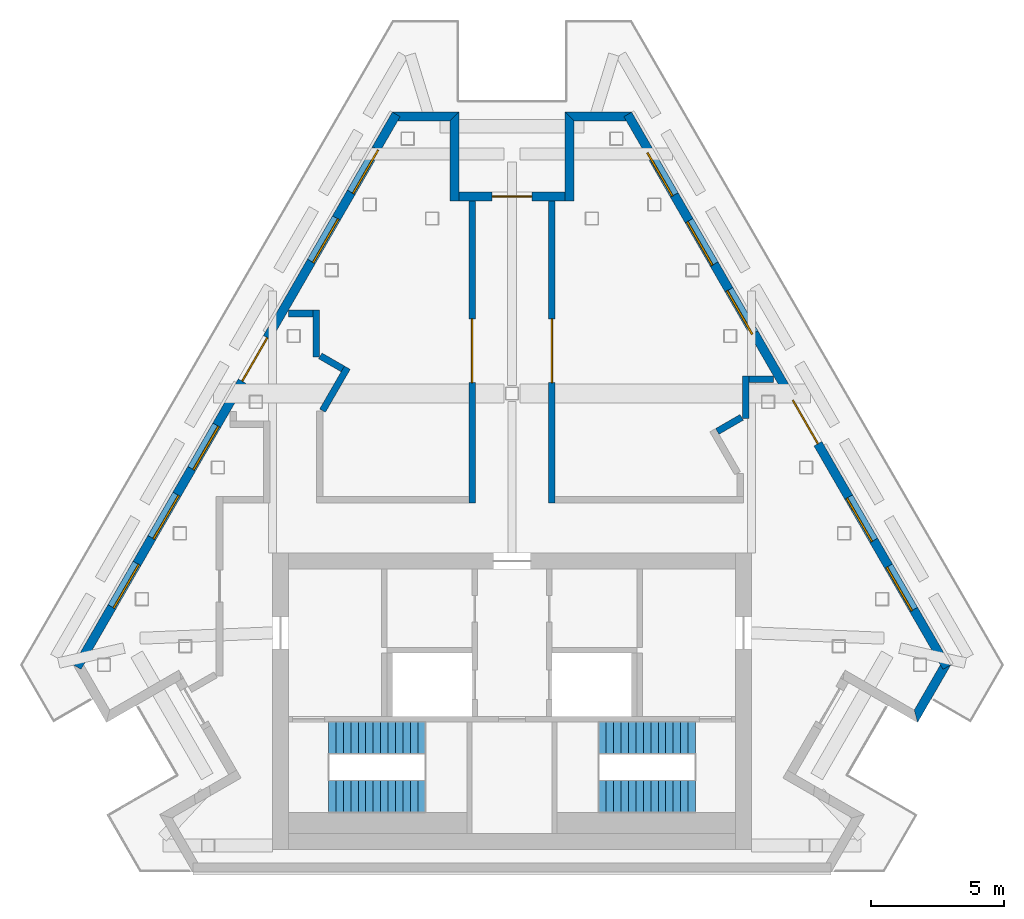
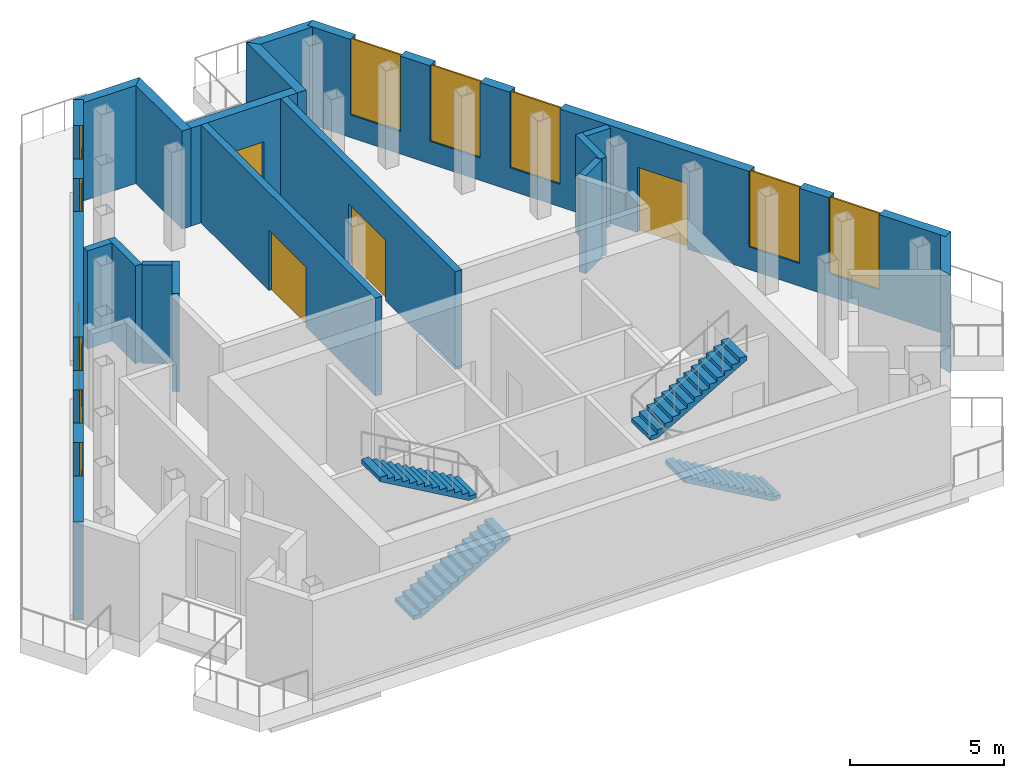
# One storey, part 3 of 4: 17 walls, 10 windows, 5 doors, 4 stair flights, 15 openings, 2 elements without a shape of their own.
"""IFC4 building model written with IfcOpenShell, lengths in metres."""

from ifc_helpers import new_model, si_unit, direction, frame, frame_2d, origin, place, context, subcontext, project, spatial, polyline, rectangle, outline, extrude, material, layer, layer_set, type_object, element, fill, aggregate, save


model = new_model("IFC4")

# Units and contexts
model_context = context("Model", 3, precision=1e-05, world=origin(), true_north=direction((0.0, 1.0)))
body_context = subcontext(model_context, "Body", "Model", "MODEL_VIEW")
ifc_project = project(units=[si_unit("LENGTHUNIT", "METRE"), si_unit("AREAUNIT", "SQUARE_METRE"), si_unit("VOLUMEUNIT", "CUBIC_METRE"), si_unit("PLANEANGLEUNIT", "RADIAN"), si_unit("MASSUNIT", "GRAM", prefix="KILO")], contexts=[model_context])

# Site, building, storey
site_placement = place(None, origin())
site = spatial("IfcSite", under=ifc_project, at=site_placement, CompositionType="ELEMENT")
building_placement = place(site_placement, origin())
building = spatial("IfcBuilding", under=site, at=building_placement, Name="Fogline Exchange Tower", CompositionType="ELEMENT")
storey_placement = place(building_placement, frame((0.0, 0.0, 355.10009765625)))
storey = spatial("IfcBuildingStorey", under=building, at=storey_placement, Name="L80", CompositionType="ELEMENT", Elevation=355.10009765625)

# Wall
ifc_material_1 = material(Name="Brick masonry", Category="masonry")
ifc_layer_1 = layer(ifc_material_1, 0.340087890625)
ifc_layer_set_1 = layer_set([ifc_layer_1], Name="FW1")
wall_type_1 = type_object("IfcWallType", Name="FW1", PredefinedType="SOLIDWALL", material=ifc_layer_set_1)
wall_1_placement = place(storey_placement, origin())
element("IfcWall", 1, at=wall_1_placement, inside=storey, type_object=wall_type_1, Name="Brick wall L80 SE-c2", PredefinedType="SOLIDWALL", context=body_context, shape_type="SweptSolid", body=[
    extrude(outline(polyline([(16.107421875, 7.79541015625), (16.205810546875, 7.625), (16.500732421875, 7.79541015625), (16.5009765625, 7.794921875), (15.25, 5.6279296875), (15.249755859375, 5.6279296875), (15.125, 6.09375), (16.107421875, 7.79541015625)])), origin(), (0.0, 0.0, 1.0), 3.89990234375),
])

# Wall, openings, door, windows
wall_2_placement = place(storey_placement, frame((16.352783203125, 7.709228515625, 0.0), z_axis=(0.0, 0.0, 1.0), x_axis=(-0.49999894854, 0.866026010844, 0.0)))
wall_2 = element("IfcWall", 2, at=wall_2_placement, inside=storey, type_object=wall_type_1, Name="Brick wall L80 E", PredefinedType="SOLIDWALL", context=body_context, shape_type="SweptSolid", body=[
    extrude(rectangle(XDim=24.0, YDim=0.340087890625, at=frame_2d((12.0, 0.0))), origin(), (0.0, 0.0, 1.0), 3.89990234375),
])
opening_1_placement = place(wall_2_placement, frame((2.5, 0.0, 0.89990234375)))
opening_1 = element("IfcOpeningElement", 3, at=opening_1_placement, cuts=wall_2, Name="Opening W6", PredefinedType="OPENING", context=body_context, shape_type="SweptSolid", body=[
    extrude(rectangle(XDim=1.885009765625, YDim=3.0, at=frame_2d((0.9423828125, 1.5))), frame((0.0, 0.18017578125, 0.0), z_axis=(0.0, -1.0, 0.0), x_axis=(1.0, 0.0, 0.0)), (0.0, 0.0, 1.0), 0.360107421875),
])
opening_2_placement = place(wall_2_placement, frame((5.5, 0.0, 0.89990234375)))
opening_2 = element("IfcOpeningElement", 4, at=opening_2_placement, cuts=wall_2, Name="Opening W6", PredefinedType="OPENING", context=body_context, shape_type="SweptSolid", body=[
    extrude(rectangle(XDim=1.885009765625, YDim=3.0, at=frame_2d((0.9423828125, 1.5))), frame((0.0, 0.18017578125, 0.0), z_axis=(0.0, -1.0, 0.0), x_axis=(1.0, 0.0, 0.0)), (0.0, 0.0, 1.0), 0.360107421875),
])
opening_3_placement = place(wall_2_placement, frame((14.5, 0.0, 0.89990234375)))
opening_3 = element("IfcOpeningElement", 5, at=opening_3_placement, cuts=wall_2, Name="Opening W6", PredefinedType="OPENING", context=body_context, shape_type="SweptSolid", body=[
    extrude(rectangle(XDim=1.885009765625, YDim=3.0, at=frame_2d((0.9423828125, 1.5))), frame((0.0, 0.18017578125, 0.0), z_axis=(0.0, -1.0, 0.0), x_axis=(1.0, 0.0, 0.0)), (0.0, 0.0, 1.0), 0.360107421875),
])
opening_4_placement = place(wall_2_placement, frame((17.5, 0.0, 0.89990234375)))
opening_4 = element("IfcOpeningElement", 6, at=opening_4_placement, cuts=wall_2, Name="Opening W6", PredefinedType="OPENING", context=body_context, shape_type="SweptSolid", body=[
    extrude(rectangle(XDim=1.885009765625, YDim=3.0, at=frame_2d((0.9423828125, 1.5))), frame((0.0, 0.18017578125, 0.0), z_axis=(0.0, -1.0, 0.0), x_axis=(1.0, 0.0, 0.0)), (0.0, 0.0, 1.0), 0.360107421875),
])
opening_5_placement = place(wall_2_placement, frame((20.5, 0.0, 0.89990234375)))
opening_5 = element("IfcOpeningElement", 7, at=opening_5_placement, cuts=wall_2, Name="Opening W6", PredefinedType="OPENING", context=body_context, shape_type="SweptSolid", body=[
    extrude(rectangle(XDim=1.885009765625, YDim=3.0, at=frame_2d((0.9423828125, 1.5))), frame((0.0, 0.18017578125, 0.0), z_axis=(0.0, -1.0, 0.0), x_axis=(1.0, 0.0, 0.0)), (0.0, 0.0, 1.0), 0.360107421875),
])
opening_6_placement = place(wall_2_placement, frame((9.699951171875, 0.0, 0.0)))
opening_6 = element("IfcOpeningElement", 8, at=opening_6_placement, cuts=wall_2, Name="Opening L80-E111", PredefinedType="OPENING", context=body_context, shape_type="SweptSolid", body=[
    extrude(rectangle(XDim=1.885009765625, YDim=2.60009765625, at=frame_2d((0.9423828125, 1.300048828125))), frame((0.0, 0.18017578125, 0.0), z_axis=(0.0, -1.0, 0.0), x_axis=(1.0, 0.0, 0.0)), (0.0, 0.0, 1.0), 0.360107421875),
])
ifc_material_2 = material(Name="Aluminium and glass", Category="aluminium")
door_type_1 = type_object("IfcDoorType", Name="ED5", OperationType="SINGLE_SWING_LEFT", PredefinedType="DOOR", material=ifc_material_2)
door_1_placement = place(opening_6_placement, frame((1.885009765625, 0.0, 0.0), z_axis=(0.0, 0.0, 1.0), x_axis=(-1.0, 0.0, 0.0)))
door_1 = element("IfcDoor", 9, at=door_1_placement, inside=storey, type_object=door_type_1, Name="Terrace door L80 E", OperationType="DOUBLE_DOOR_SINGLE_SWING", OverallHeight=2.60009765625, OverallWidth=1.885009765625, PredefinedType="DOOR", context=body_context, shape_type="SweptSolid", body=[
    extrude(rectangle(XDim=1.885009765625, YDim=2.60009765625, at=frame_2d((0.9423828125, 1.300048828125))), frame((0.0, 0.02490234375, 0.0), z_axis=(0.0, -1.0, 0.0), x_axis=(1.0, 0.0, 0.0)), (0.0, 0.0, 1.0), 0.050048828125),
])
fill(opening_6, door_1)
ifc_material_3 = material(Name="Aluminium louvre", Category="aluminium")
window_type = type_object("IfcWindowType", Name="W6", PartitioningType="SINGLE_PANEL", PredefinedType="WINDOW", material=ifc_material_3)
window_1_placement = place(opening_1_placement, origin())
window_1 = element("IfcWindow", 10, at=window_1_placement, inside=storey, type_object=window_type, Name="W6 W6", OverallHeight=3.0, OverallWidth=1.885009765625, PartitioningType="SINGLE_PANEL", PredefinedType="WINDOW", context=body_context, shape_type="SweptSolid", body=[
    extrude(rectangle(XDim=1.885009765625, YDim=3.0, at=frame_2d((0.9423828125, 1.5))), frame((0.0, 0.110107421875, 0.0), z_axis=(0.0, -1.0, 0.0), x_axis=(1.0, 0.0, 0.0)), (0.0, 0.0, 1.0), 0.06005859375),
])
fill(opening_1, window_1)
window_2_placement = place(opening_2_placement, origin())
window_2 = element("IfcWindow", 11, at=window_2_placement, inside=storey, type_object=window_type, Name="W6 W6", OverallHeight=3.0, OverallWidth=1.885009765625, PartitioningType="SINGLE_PANEL", PredefinedType="WINDOW", context=body_context, shape_type="SweptSolid", body=[
    extrude(rectangle(XDim=1.885009765625, YDim=3.0, at=frame_2d((0.9423828125, 1.5))), frame((0.0, 0.110107421875, 0.0), z_axis=(0.0, -1.0, 0.0), x_axis=(1.0, 0.0, 0.0)), (0.0, 0.0, 1.0), 0.06005859375),
])
fill(opening_2, window_2)
window_3_placement = place(opening_3_placement, origin())
window_3 = element("IfcWindow", 12, at=window_3_placement, inside=storey, type_object=window_type, Name="W6 W6", OverallHeight=3.0, OverallWidth=1.885009765625, PartitioningType="SINGLE_PANEL", PredefinedType="WINDOW", context=body_context, shape_type="SweptSolid", body=[
    extrude(rectangle(XDim=1.885009765625, YDim=3.0, at=frame_2d((0.9423828125, 1.5))), frame((0.0, 0.110107421875, 0.0), z_axis=(0.0, -1.0, 0.0), x_axis=(1.0, 0.0, 0.0)), (0.0, 0.0, 1.0), 0.06005859375),
])
fill(opening_3, window_3)
window_4_placement = place(opening_4_placement, origin())
window_4 = element("IfcWindow", 13, at=window_4_placement, inside=storey, type_object=window_type, Name="W6 W6", OverallHeight=3.0, OverallWidth=1.885009765625, PartitioningType="SINGLE_PANEL", PredefinedType="WINDOW", context=body_context, shape_type="SweptSolid", body=[
    extrude(rectangle(XDim=1.885009765625, YDim=3.0, at=frame_2d((0.9423828125, 1.5))), frame((0.0, 0.110107421875, 0.0), z_axis=(0.0, -1.0, 0.0), x_axis=(1.0, 0.0, 0.0)), (0.0, 0.0, 1.0), 0.06005859375),
])
fill(opening_4, window_4)
window_5_placement = place(opening_5_placement, origin())
window_5 = element("IfcWindow", 14, at=window_5_placement, inside=storey, type_object=window_type, Name="W6 W6", OverallHeight=3.0, OverallWidth=1.885009765625, PartitioningType="SINGLE_PANEL", PredefinedType="WINDOW", context=body_context, shape_type="SweptSolid", body=[
    extrude(rectangle(XDim=1.885009765625, YDim=3.0, at=frame_2d((0.9423828125, 1.5))), frame((0.0, 0.110107421875, 0.0), z_axis=(0.0, -1.0, 0.0), x_axis=(1.0, 0.0, 0.0)), (0.0, 0.0, 1.0), 0.06005859375),
])
fill(opening_5, window_5)

# Walls
wall_3_placement = place(storey_placement, origin())
element("IfcWall", 15, at=wall_3_placement, inside=storey, type_object=wall_type_1, Name="Brick wall L80 N-c1", PredefinedType="SOLIDWALL", context=body_context, shape_type="SweptSolid", body=[
    extrude(outline(polyline([(1.9990234375, 28.579345703125), (4.5009765625, 28.579345703125), (4.501220703125, 28.578857421875), (4.206298828125, 28.40869140625), (4.3046875, 28.23828125), (2.33984375, 28.23828125), (1.998779296875, 28.5791015625), (1.9990234375, 28.579345703125)])), origin(), (0.0, 0.0, 1.0), 3.89990234375),
])
wall_4_placement = place(storey_placement, origin())
element("IfcWall", 16, at=wall_4_placement, inside=storey, type_object=wall_type_1, Name="Brick wall L80 N-s1", PredefinedType="SOLIDWALL", context=body_context, shape_type="SweptSolid", body=[
    extrude(outline(polyline([(2.340576171875, 25.23828125), (1.99951171875, 25.23828125), (1.99951171875, 28.579833984375), (1.999755859375, 28.580078125), (2.340576171875, 28.239013671875), (2.340576171875, 25.23828125)])), origin(), (0.0, 0.0, 1.0), 3.89990234375),
])

# Wall, opening, door
wall_5_placement = place(storey_placement, frame((2.0, 25.408935546875, 0.0), z_axis=(0.0, 0.0, 1.0), x_axis=(-1.0, 0.0, 0.0)))
wall_5 = element("IfcWall", 17, at=wall_5_placement, inside=storey, type_object=wall_type_1, Name="Brick wall L80 N-bk", PredefinedType="SOLIDWALL", context=body_context, shape_type="SweptSolid", body=[
    extrude(rectangle(XDim=4.0, YDim=0.340087890625, at=frame_2d((2.0, 0.0))), origin(), (0.0, 0.0, 1.0), 3.89990234375),
])
opening_7_placement = place(wall_5_placement, frame((1.25, 0.0, 0.0)))
opening_7 = element("IfcOpeningElement", 18, at=opening_7_placement, cuts=wall_5, Name="Opening L80-E141", PredefinedType="OPENING", context=body_context, shape_type="SweptSolid", body=[
    extrude(rectangle(XDim=1.5, YDim=2.39990234375, at=frame_2d((0.75, 1.199951171875))), frame((0.0, 0.18017578125, 0.0), z_axis=(0.0, -1.0, 0.0), x_axis=(1.0, 0.0, 0.0)), (0.0, 0.0, 1.0), 0.360107421875),
])
door_type_2 = type_object("IfcDoorType", Name="ED4", OperationType="SINGLE_SWING_LEFT", PredefinedType="DOOR", material=ifc_material_2)
door_2_placement = place(opening_7_placement, frame((1.5, 0.0, 0.0), z_axis=(0.0, 0.0, 1.0), x_axis=(-1.0, 0.0, 0.0)))
door_2 = element("IfcDoor", 19, at=door_2_placement, inside=storey, type_object=door_type_2, Name="Balcony door L80 N", OperationType="DOUBLE_DOOR_SINGLE_SWING", OverallHeight=2.39990234375, OverallWidth=1.5, PredefinedType="DOOR", context=body_context, shape_type="SweptSolid", body=[
    extrude(rectangle(XDim=1.5, YDim=2.39990234375, at=frame_2d((0.75, 1.199951171875))), frame((0.0, 0.02490234375, 0.0), z_axis=(0.0, -1.0, 0.0), x_axis=(1.0, 0.0, 0.0)), (0.0, 0.0, 1.0), 0.050048828125),
])
fill(opening_7, door_2)

# Walls
wall_6_placement = place(storey_placement, origin())
element("IfcWall", 20, at=wall_6_placement, inside=storey, type_object=wall_type_1, Name="Brick wall L80 N-s2", PredefinedType="SOLIDWALL", context=body_context, shape_type="SweptSolid", body=[
    extrude(outline(polyline([(-1.99951171875, 28.579833984375), (-1.99951171875, 25.23828125), (-2.340576171875, 25.23828125), (-2.340576171875, 28.239013671875), (-1.999755859375, 28.580078125), (-1.99951171875, 28.579833984375)])), origin(), (0.0, 0.0, 1.0), 3.89990234375),
])
wall_7_placement = place(storey_placement, origin())
element("IfcWall", 21, at=wall_7_placement, inside=storey, type_object=wall_type_1, Name="Brick wall L80 N-c2", PredefinedType="SOLIDWALL", context=body_context, shape_type="SweptSolid", body=[
    extrude(outline(polyline([(-4.3046875, 28.23828125), (-4.206298828125, 28.40869140625), (-4.501220703125, 28.578857421875), (-4.5009765625, 28.579345703125), (-1.9990234375, 28.579345703125), (-1.998779296875, 28.5791015625), (-2.33984375, 28.23828125), (-4.3046875, 28.23828125)])), origin(), (0.0, 0.0, 1.0), 3.89990234375),
])

# Wall, openings, door, windows
wall_8_placement = place(storey_placement, frame((-4.352783203125, 28.493896484375, 0.0), z_axis=(0.0, 0.0, 1.0), x_axis=(-0.49999894854, -0.866026010844, 0.0)))
wall_8 = element("IfcWall", 22, at=wall_8_placement, inside=storey, type_object=wall_type_1, Name="Brick wall L80 W", PredefinedType="SOLIDWALL", context=body_context, shape_type="SweptSolid", body=[
    extrude(rectangle(XDim=24.0, YDim=0.340087890625, at=frame_2d((12.0, 0.0))), origin(), (0.0, 0.0, 1.0), 3.89990234375),
])
opening_8_placement = place(wall_8_placement, frame((1.5, 0.0, 0.89990234375)))
opening_8 = element("IfcOpeningElement", 23, at=opening_8_placement, cuts=wall_8, Name="Opening W6", PredefinedType="OPENING", context=body_context, shape_type="SweptSolid", body=[
    extrude(rectangle(XDim=1.885009765625, YDim=3.0, at=frame_2d((0.9423828125, 1.5))), frame((0.0, 0.18017578125, 0.0), z_axis=(0.0, -1.0, 0.0), x_axis=(1.0, 0.0, 0.0)), (0.0, 0.0, 1.0), 0.360107421875),
])
opening_9_placement = place(wall_8_placement, frame((4.5, 0.0, 0.89990234375)))
opening_9 = element("IfcOpeningElement", 24, at=opening_9_placement, cuts=wall_8, Name="Opening W6", PredefinedType="OPENING", context=body_context, shape_type="SweptSolid", body=[
    extrude(rectangle(XDim=1.885009765625, YDim=3.0, at=frame_2d((0.9423828125, 1.5))), frame((0.0, 0.18017578125, 0.0), z_axis=(0.0, -1.0, 0.0), x_axis=(1.0, 0.0, 0.0)), (0.0, 0.0, 1.0), 0.360107421875),
])
opening_10_placement = place(wall_8_placement, frame((13.5, 0.0, 0.89990234375)))
opening_10 = element("IfcOpeningElement", 25, at=opening_10_placement, cuts=wall_8, Name="Opening W6", PredefinedType="OPENING", context=body_context, shape_type="SweptSolid", body=[
    extrude(rectangle(XDim=1.885009765625, YDim=3.0, at=frame_2d((0.9423828125, 1.5))), frame((0.0, 0.18017578125, 0.0), z_axis=(0.0, -1.0, 0.0), x_axis=(1.0, 0.0, 0.0)), (0.0, 0.0, 1.0), 0.360107421875),
])
opening_11_placement = place(wall_8_placement, frame((16.5, 0.0, 0.89990234375)))
opening_11 = element("IfcOpeningElement", 26, at=opening_11_placement, cuts=wall_8, Name="Opening W6", PredefinedType="OPENING", context=body_context, shape_type="SweptSolid", body=[
    extrude(rectangle(XDim=1.885009765625, YDim=3.0, at=frame_2d((0.9423828125, 1.5))), frame((0.0, 0.18017578125, 0.0), z_axis=(0.0, -1.0, 0.0), x_axis=(1.0, 0.0, 0.0)), (0.0, 0.0, 1.0), 0.360107421875),
])
opening_12_placement = place(wall_8_placement, frame((19.5, 0.0, 0.89990234375)))
opening_12 = element("IfcOpeningElement", 27, at=opening_12_placement, cuts=wall_8, Name="Opening W6", PredefinedType="OPENING", context=body_context, shape_type="SweptSolid", body=[
    extrude(rectangle(XDim=1.885009765625, YDim=3.0, at=frame_2d((0.9423828125, 1.5))), frame((0.0, 0.18017578125, 0.0), z_axis=(0.0, -1.0, 0.0), x_axis=(1.0, 0.0, 0.0)), (0.0, 0.0, 1.0), 0.360107421875),
])
opening_13_placement = place(wall_8_placement, frame((9.699951171875, 0.0, 0.0)))
opening_13 = element("IfcOpeningElement", 28, at=opening_13_placement, cuts=wall_8, Name="Opening L80-E171", PredefinedType="OPENING", context=body_context, shape_type="SweptSolid", body=[
    extrude(rectangle(XDim=1.885009765625, YDim=2.60009765625, at=frame_2d((0.9423828125, 1.300048828125))), frame((0.0, 0.18017578125, 0.0), z_axis=(0.0, -1.0, 0.0), x_axis=(1.0, 0.0, 0.0)), (0.0, 0.0, 1.0), 0.360107421875),
])
door_3_placement = place(opening_13_placement, frame((1.885009765625, 0.0, 0.0), z_axis=(0.0, 0.0, 1.0), x_axis=(-1.0, 0.0, 0.0)))
door_3 = element("IfcDoor", 29, at=door_3_placement, inside=storey, type_object=door_type_1, Name="Terrace door L80 W", OperationType="DOUBLE_DOOR_SINGLE_SWING", OverallHeight=2.60009765625, OverallWidth=1.885009765625, PredefinedType="DOOR", context=body_context, shape_type="SweptSolid", body=[
    extrude(rectangle(XDim=1.885009765625, YDim=2.60009765625, at=frame_2d((0.9423828125, 1.300048828125))), frame((0.0, 0.02490234375, 0.0), z_axis=(0.0, -1.0, 0.0), x_axis=(1.0, 0.0, 0.0)), (0.0, 0.0, 1.0), 0.050048828125),
])
fill(opening_13, door_3)
window_6_placement = place(opening_8_placement, origin())
window_6 = element("IfcWindow", 30, at=window_6_placement, inside=storey, type_object=window_type, Name="W6 W6", OverallHeight=3.0, OverallWidth=1.885009765625, PartitioningType="SINGLE_PANEL", PredefinedType="WINDOW", context=body_context, shape_type="SweptSolid", body=[
    extrude(rectangle(XDim=1.885009765625, YDim=3.0, at=frame_2d((0.9423828125, 1.5))), frame((0.0, 0.110107421875, 0.0), z_axis=(0.0, -1.0, 0.0), x_axis=(1.0, 0.0, 0.0)), (0.0, 0.0, 1.0), 0.06005859375),
])
fill(opening_8, window_6)
window_7_placement = place(opening_9_placement, origin())
window_7 = element("IfcWindow", 31, at=window_7_placement, inside=storey, type_object=window_type, Name="W6 W6", OverallHeight=3.0, OverallWidth=1.885009765625, PartitioningType="SINGLE_PANEL", PredefinedType="WINDOW", context=body_context, shape_type="SweptSolid", body=[
    extrude(rectangle(XDim=1.885009765625, YDim=3.0, at=frame_2d((0.9423828125, 1.5))), frame((0.0, 0.110107421875, 0.0), z_axis=(0.0, -1.0, 0.0), x_axis=(1.0, 0.0, 0.0)), (0.0, 0.0, 1.0), 0.06005859375),
])
fill(opening_9, window_7)
window_8_placement = place(opening_10_placement, origin())
window_8 = element("IfcWindow", 32, at=window_8_placement, inside=storey, type_object=window_type, Name="W6 W6", OverallHeight=3.0, OverallWidth=1.885009765625, PartitioningType="SINGLE_PANEL", PredefinedType="WINDOW", context=body_context, shape_type="SweptSolid", body=[
    extrude(rectangle(XDim=1.885009765625, YDim=3.0, at=frame_2d((0.9423828125, 1.5))), frame((0.0, 0.110107421875, 0.0), z_axis=(0.0, -1.0, 0.0), x_axis=(1.0, 0.0, 0.0)), (0.0, 0.0, 1.0), 0.06005859375),
])
fill(opening_10, window_8)
window_9_placement = place(opening_11_placement, origin())
window_9 = element("IfcWindow", 33, at=window_9_placement, inside=storey, type_object=window_type, Name="W6 W6", OverallHeight=3.0, OverallWidth=1.885009765625, PartitioningType="SINGLE_PANEL", PredefinedType="WINDOW", context=body_context, shape_type="SweptSolid", body=[
    extrude(rectangle(XDim=1.885009765625, YDim=3.0, at=frame_2d((0.9423828125, 1.5))), frame((0.0, 0.110107421875, 0.0), z_axis=(0.0, -1.0, 0.0), x_axis=(1.0, 0.0, 0.0)), (0.0, 0.0, 1.0), 0.06005859375),
])
fill(opening_11, window_9)
window_10_placement = place(opening_12_placement, origin())
window_10 = element("IfcWindow", 34, at=window_10_placement, inside=storey, type_object=window_type, Name="W6 W6", OverallHeight=3.0, OverallWidth=1.885009765625, PartitioningType="SINGLE_PANEL", PredefinedType="WINDOW", context=body_context, shape_type="SweptSolid", body=[
    extrude(rectangle(XDim=1.885009765625, YDim=3.0, at=frame_2d((0.9423828125, 1.5))), frame((0.0, 0.110107421875, 0.0), z_axis=(0.0, -1.0, 0.0), x_axis=(1.0, 0.0, 0.0)), (0.0, 0.0, 1.0), 0.06005859375),
])
fill(opening_12, window_10)

# Wall, opening, door
ifc_material_4 = material(Name="Concrete C40", Category="concrete")
ifc_layer_2 = layer(ifc_material_4, 0.25)
ifc_layer_set_2 = layer_set([ifc_layer_2], Name="PP3")
wall_type_2 = type_object("IfcWallType", Name="PP3", PredefinedType="SOLIDWALL", material=ifc_layer_set_2)
wall_9_placement = place(storey_placement, frame((-1.5, 13.875, 0.0), z_axis=(0.0, 0.0, 1.0), x_axis=(0.0, 1.0, 0.0)))
wall_9 = element("IfcWall", 35, at=wall_9_placement, inside=storey, type_object=wall_type_2, Name="PP3 partition", PredefinedType="SOLIDWALL", context=body_context, shape_type="SweptSolid", body=[
    extrude(rectangle(XDim=11.36376953125, YDim=0.25, at=frame_2d((5.681884765625, 0.0))), origin(), (0.0, 0.0, 1.0), 3.89990234375),
])
opening_14_placement = place(wall_9_placement, frame((4.534423828125, 0.0, 0.0)))
opening_14 = element("IfcOpeningElement", 36, at=opening_14_placement, cuts=wall_9, Name="Opening L80-D002", PredefinedType="OPENING", context=body_context, shape_type="SweptSolid", body=[
    extrude(rectangle(XDim=2.39990234375, YDim=2.39990234375, at=frame_2d((1.199951171875, 1.199951171875))), frame((0.0, 0.135009765625, 0.0), z_axis=(0.0, -1.0, 0.0), x_axis=(1.0, 0.0, 0.0)), (0.0, 0.0, 1.0), 0.27001953125),
])
ifc_material_5 = material(Name="Steel Q235B", Category="steel")
door_type_3 = type_object("IfcDoorType", Name="PD9", OperationType="DOUBLE_DOOR_SINGLE_SWING", PredefinedType="DOOR", material=ifc_material_5)
door_4_placement = place(opening_14_placement, origin())
door_4 = element("IfcDoor", 37, at=door_4_placement, inside=storey, type_object=door_type_3, Name="L80-D002", OperationType="DOUBLE_DOOR_SINGLE_SWING", OverallHeight=2.39990234375, OverallWidth=2.39990234375, PredefinedType="DOOR", context=body_context, shape_type="SweptSolid", body=[
    extrude(rectangle(XDim=2.39990234375, YDim=2.39990234375, at=frame_2d((1.199951171875, 1.199951171875))), frame((0.0, 0.02490234375, 0.0), z_axis=(0.0, -1.0, 0.0), x_axis=(1.0, 0.0, 0.0)), (0.0, 0.0, 1.0), 0.050048828125),
])
fill(opening_14, door_4)

wall_10_placement = place(storey_placement, frame((1.5, 25.23876953125, 0.0), z_axis=(0.0, 0.0, 1.0), x_axis=(0.0, -1.0, 0.0)))
wall_10 = element("IfcWall", 38, at=wall_10_placement, inside=storey, type_object=wall_type_2, Name="PP3 partition", PredefinedType="SOLIDWALL", context=body_context, shape_type="SweptSolid", body=[
    extrude(rectangle(XDim=11.36376953125, YDim=0.25, at=frame_2d((5.681884765625, 0.0))), origin(), (0.0, 0.0, 1.0), 3.89990234375),
])
opening_15_placement = place(wall_10_placement, frame((4.429443359375, 0.0, 0.0)))
opening_15 = element("IfcOpeningElement", 39, at=opening_15_placement, cuts=wall_10, Name="Opening L80-D001", PredefinedType="OPENING", context=body_context, shape_type="SweptSolid", body=[
    extrude(rectangle(XDim=2.39990234375, YDim=2.39990234375, at=frame_2d((1.199951171875, 1.199951171875))), frame((0.0, 0.135009765625, 0.0), z_axis=(0.0, -1.0, 0.0), x_axis=(1.0, 0.0, 0.0)), (0.0, 0.0, 1.0), 0.27001953125),
])
door_5_placement = place(opening_15_placement, origin())
door_5 = element("IfcDoor", 40, at=door_5_placement, inside=storey, type_object=door_type_3, Name="L80-D001", OperationType="DOUBLE_DOOR_SINGLE_SWING", OverallHeight=2.39990234375, OverallWidth=2.39990234375, PredefinedType="DOOR", context=body_context, shape_type="SweptSolid", body=[
    extrude(rectangle(XDim=2.39990234375, YDim=2.39990234375, at=frame_2d((1.199951171875, 1.199951171875))), frame((0.0, 0.02490234375, 0.0), z_axis=(0.0, -1.0, 0.0), x_axis=(1.0, 0.0, 0.0)), (0.0, 0.0, 1.0), 0.050048828125),
])
fill(opening_15, door_5)

# Walls
wall_11_placement = place(storey_placement, frame((-6.191162109375, 18.969482421875, 0.0), z_axis=(0.0, 0.0, 1.0), x_axis=(-0.500055009638, -0.865993641626, 0.0)))
element("IfcWall", 41, at=wall_11_placement, inside=storey, type_object=wall_type_2, Name="PP3 partition", PredefinedType="SOLIDWALL", context=body_context, shape_type="SweptSolid", body=[
    extrude(rectangle(XDim=1.864013671875, YDim=0.25, at=frame_2d((0.93212890625, 0.0))), origin(), (0.0, 0.0, 1.0), 3.89990234375),
])
wall_12_placement = place(storey_placement, frame((-7.356201171875, 21.134521484375, 0.0), z_axis=(0.0, 0.0, 1.0), x_axis=(0.0, -1.0, 0.0)))
element("IfcWall", 42, at=wall_12_placement, inside=storey, type_object=wall_type_2, Name="PP3 partition", PredefinedType="SOLIDWALL", context=body_context, shape_type="SweptSolid", body=[
    extrude(rectangle(XDim=1.76171875, YDim=0.25, at=frame_2d((0.880859375, 0.0))), origin(), (0.0, 0.0, 1.0), 3.89990234375),
])
wall_13_placement = place(storey_placement, frame((8.783935546875, 17.06201171875, 0.0), z_axis=(0.0, 0.0, 1.0), x_axis=(0.0, 1.0, 0.0)))
element("IfcWall", 43, at=wall_13_placement, inside=storey, type_object=wall_type_2, Name="PP3 partition", PredefinedType="SOLIDWALL", context=body_context, shape_type="SweptSolid", body=[
    extrude(rectangle(XDim=1.599609375, YDim=0.25, at=frame_2d((0.7998046875, 0.0))), origin(), (0.0, 0.0, 1.0), 3.89990234375),
])
wall_14_placement = place(storey_placement, frame((7.719482421875, 16.572509765625, 0.0), z_axis=(0.0, 0.0, 1.0), x_axis=(0.865962759392, 0.500108487576, 0.0)))
element("IfcWall", 44, at=wall_14_placement, inside=storey, type_object=wall_type_2, Name="PP3 partition", PredefinedType="SOLIDWALL", context=body_context, shape_type="SweptSolid", body=[
    extrude(rectangle(XDim=1.058349609375, YDim=0.25, at=frame_2d((0.529296875, 0.0))), origin(), (0.0, 0.0, 1.0), 3.89990234375),
])
wall_15_placement = place(storey_placement, frame((-7.208251953125, 19.412353515625, 0.0), z_axis=(0.0, 0.0, 1.0), x_axis=(0.866052515552, -0.499953038101, 0.0)))
element("IfcWall", 45, at=wall_15_placement, inside=storey, type_object=wall_type_2, Name="PP3 partition", PredefinedType="SOLIDWALL", context=body_context, shape_type="SweptSolid", body=[
    extrude(rectangle(XDim=0.9775390625, YDim=0.25, at=frame_2d((0.48876953125, 0.0))), origin(), (0.0, 0.0, 1.0), 3.89990234375),
])
wall_16_placement = place(storey_placement, frame((-8.4052734375, 21.009521484375, 0.0), z_axis=(0.0, 0.0, 1.0), x_axis=(1.0, 0.0, 0.0)))
element("IfcWall", 46, at=wall_16_placement, inside=storey, type_object=wall_type_2, Name="PP3 partition", PredefinedType="SOLIDWALL", context=body_context, shape_type="SweptSolid", body=[
    extrude(rectangle(XDim=0.924072265625, YDim=0.25, at=frame_2d((0.4619140625, 0.0))), origin(), (0.0, 0.0, 1.0), 3.89990234375),
])
wall_17_placement = place(storey_placement, frame((8.908935546875, 18.53662109375, 0.0), z_axis=(0.0, 0.0, 1.0), x_axis=(1.0, 0.0, 0.0)))
element("IfcWall", 47, at=wall_17_placement, inside=storey, type_object=wall_type_2, Name="PP3 partition", PredefinedType="SOLIDWALL", context=body_context, shape_type="SweptSolid", body=[
    extrude(rectangle(XDim=0.92431640625, YDim=0.25, at=frame_2d((0.462158203125, 0.0))), origin(), (0.0, 0.0, 1.0), 3.89990234375),
])

# Stair, stair flights
stair_type = type_object("IfcStairType", Name="STR28-1607W1200", PredefinedType="HALF_TURN_STAIR", material=ifc_material_4)
stair_1_placement = place(storey_placement, origin())
stair_1 = element("IfcStair", 48, at=stair_1_placement, inside=storey, type_object=stair_type, Name="Stair CS1", PredefinedType="HALF_TURN_STAIR")
stair_flight_type = type_object("IfcStairFlightType", Name="SF14-1607W1200", PredefinedType="STRAIGHT", material=ifc_material_4)
stair_flight_1_placement = place(storey_placement, frame((-6.89990234375, 2.85009765625, 0.0), z_axis=(0.0, 0.0, 1.0), x_axis=(1.0, 0.0, 0.0)))
stair_flight_1 = element("IfcStairFlight", 49, at=stair_flight_1_placement, type_object=stair_flight_type, Name="CS1 flight 1", NumberOfRisers=14, NumberOfTreads=13, PredefinedType="STRAIGHT", RiserHeight=0.160714286, TreadLength=0.28, context=body_context, shape_type="SweptSolid", body=[
    extrude(outline(polyline([(0.0, 0.0), (0.0, 0.16064453125), (0.280029296875, 0.16064453125), (0.280029296875, 0.321533203125), (0.56005859375, 0.321533203125), (0.56005859375, 0.482177734375), (0.840087890625, 0.482177734375), (0.840087890625, 0.642822265625), (1.1201171875, 0.642822265625), (1.1201171875, 0.803466796875), (1.39990234375, 0.803466796875), (1.39990234375, 0.96435546875), (1.679931640625, 0.96435546875), (1.679931640625, 1.125), (1.9599609375, 1.125), (1.9599609375, 1.28564453125), (2.239990234375, 1.28564453125), (2.239990234375, 1.446533203125), (2.52001953125, 1.446533203125), (2.52001953125, 1.607177734375), (2.800048828125, 1.607177734375), (2.800048828125, 1.767822265625), (3.080078125, 1.767822265625), (3.080078125, 1.928466796875), (3.360107421875, 1.928466796875), (3.360107421875, 2.08935546875), (3.639892578125, 2.08935546875), (3.639892578125, 2.25), (3.639892578125, 1.91650390625), (0.301025390625, 0.0), (0.0, 0.0)])), frame((0.0, 0.60009765625, 0.0), z_axis=(0.0, -1.0, 0.0), x_axis=(1.0, 0.0, 0.0)), (0.0, 0.0, 1.0), 1.199951171875),
])
stair_flight_2_placement = place(storey_placement, frame((-3.260009765625, 5.050048828125, 2.25), z_axis=(0.0, 0.0, 1.0), x_axis=(-1.0, 0.0, 0.0)))
stair_flight_2 = element("IfcStairFlight", 50, at=stair_flight_2_placement, type_object=stair_flight_type, Name="CS1 flight 2", NumberOfRisers=14, NumberOfTreads=13, PredefinedType="STRAIGHT", RiserHeight=0.160714286, TreadLength=0.28, context=body_context, shape_type="SweptSolid", body=[
    extrude(outline(polyline([(0.0, 0.0), (0.0, 0.16064453125), (0.280029296875, 0.16064453125), (0.280029296875, 0.321533203125), (0.56005859375, 0.321533203125), (0.56005859375, 0.482177734375), (0.840087890625, 0.482177734375), (0.840087890625, 0.642822265625), (1.1201171875, 0.642822265625), (1.1201171875, 0.803466796875), (1.39990234375, 0.803466796875), (1.39990234375, 0.96435546875), (1.679931640625, 0.96435546875), (1.679931640625, 1.125), (1.9599609375, 1.125), (1.9599609375, 1.28564453125), (2.239990234375, 1.28564453125), (2.239990234375, 1.446533203125), (2.52001953125, 1.446533203125), (2.52001953125, 1.607177734375), (2.800048828125, 1.607177734375), (2.800048828125, 1.767822265625), (3.080078125, 1.767822265625), (3.080078125, 1.928466796875), (3.360107421875, 1.928466796875), (3.360107421875, 2.08935546875), (3.639892578125, 2.08935546875), (3.639892578125, 2.25), (3.639892578125, 1.91650390625), (0.301025390625, 0.0), (0.0, 0.0)])), frame((0.0, 0.60009765625, 0.0), z_axis=(0.0, -1.0, 0.0), x_axis=(1.0, 0.0, 0.0)), (0.0, 0.0, 1.0), 1.199951171875),
])
aggregate(stair_1, [stair_flight_1, stair_flight_2])

stair_2_placement = place(storey_placement, origin())
stair_2 = element("IfcStair", 51, at=stair_2_placement, inside=storey, type_object=stair_type, Name="Stair CS2", PredefinedType="HALF_TURN_STAIR")
stair_flight_3_placement = place(storey_placement, frame((6.89990234375, 2.85009765625, 0.0), z_axis=(0.0, 0.0, 1.0), x_axis=(-1.0, 0.0, 0.0)))
stair_flight_3 = element("IfcStairFlight", 52, at=stair_flight_3_placement, type_object=stair_flight_type, Name="CS2 flight 1", NumberOfRisers=14, NumberOfTreads=13, PredefinedType="STRAIGHT", RiserHeight=0.160714286, TreadLength=0.28, context=body_context, shape_type="SweptSolid", body=[
    extrude(outline(polyline([(0.0, 0.0), (0.0, 0.16064453125), (0.280029296875, 0.16064453125), (0.280029296875, 0.321533203125), (0.56005859375, 0.321533203125), (0.56005859375, 0.482177734375), (0.840087890625, 0.482177734375), (0.840087890625, 0.642822265625), (1.1201171875, 0.642822265625), (1.1201171875, 0.803466796875), (1.39990234375, 0.803466796875), (1.39990234375, 0.96435546875), (1.679931640625, 0.96435546875), (1.679931640625, 1.125), (1.9599609375, 1.125), (1.9599609375, 1.28564453125), (2.239990234375, 1.28564453125), (2.239990234375, 1.446533203125), (2.52001953125, 1.446533203125), (2.52001953125, 1.607177734375), (2.800048828125, 1.607177734375), (2.800048828125, 1.767822265625), (3.080078125, 1.767822265625), (3.080078125, 1.928466796875), (3.360107421875, 1.928466796875), (3.360107421875, 2.08935546875), (3.639892578125, 2.08935546875), (3.639892578125, 2.25), (3.639892578125, 1.91650390625), (0.301025390625, 0.0), (0.0, 0.0)])), frame((0.0, 0.60009765625, 0.0), z_axis=(0.0, -1.0, 0.0), x_axis=(1.0, 0.0, 0.0)), (0.0, 0.0, 1.0), 1.199951171875),
])
stair_flight_4_placement = place(storey_placement, frame((3.260009765625, 5.050048828125, 2.25), z_axis=(0.0, 0.0, 1.0), x_axis=(1.0, 0.0, 0.0)))
stair_flight_4 = element("IfcStairFlight", 53, at=stair_flight_4_placement, type_object=stair_flight_type, Name="CS2 flight 2", NumberOfRisers=14, NumberOfTreads=13, PredefinedType="STRAIGHT", RiserHeight=0.160714286, TreadLength=0.28, context=body_context, shape_type="SweptSolid", body=[
    extrude(outline(polyline([(0.0, 0.0), (0.0, 0.16064453125), (0.280029296875, 0.16064453125), (0.280029296875, 0.321533203125), (0.56005859375, 0.321533203125), (0.56005859375, 0.482177734375), (0.840087890625, 0.482177734375), (0.840087890625, 0.642822265625), (1.1201171875, 0.642822265625), (1.1201171875, 0.803466796875), (1.39990234375, 0.803466796875), (1.39990234375, 0.96435546875), (1.679931640625, 0.96435546875), (1.679931640625, 1.125), (1.9599609375, 1.125), (1.9599609375, 1.28564453125), (2.239990234375, 1.28564453125), (2.239990234375, 1.446533203125), (2.52001953125, 1.446533203125), (2.52001953125, 1.607177734375), (2.800048828125, 1.607177734375), (2.800048828125, 1.767822265625), (3.080078125, 1.767822265625), (3.080078125, 1.928466796875), (3.360107421875, 1.928466796875), (3.360107421875, 2.08935546875), (3.639892578125, 2.08935546875), (3.639892578125, 2.25), (3.639892578125, 1.91650390625), (0.301025390625, 0.0), (0.0, 0.0)])), frame((0.0, 0.60009765625, 0.0), z_axis=(0.0, -1.0, 0.0), x_axis=(1.0, 0.0, 0.0)), (0.0, 0.0, 1.0), 1.199951171875),
])
aggregate(stair_2, [stair_flight_3, stair_flight_4])

save(model, "model.ifc")
